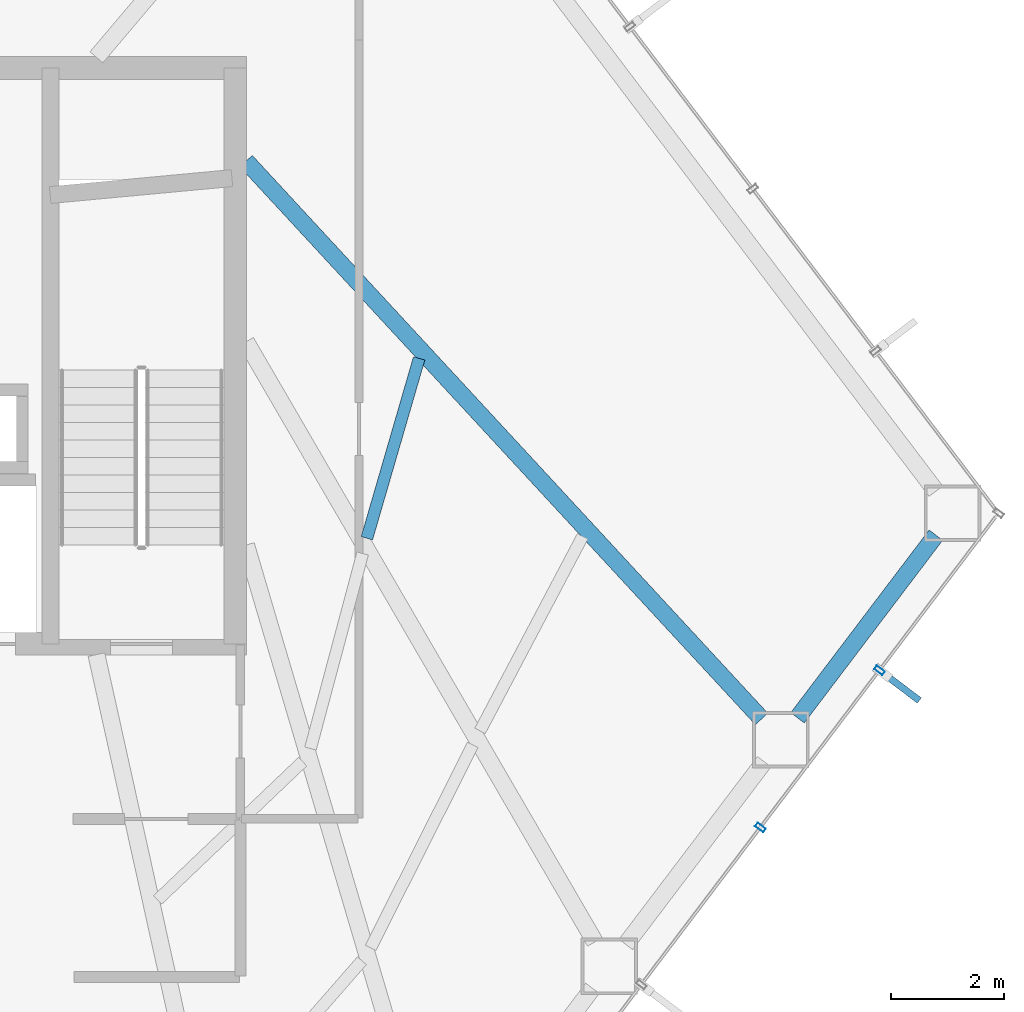
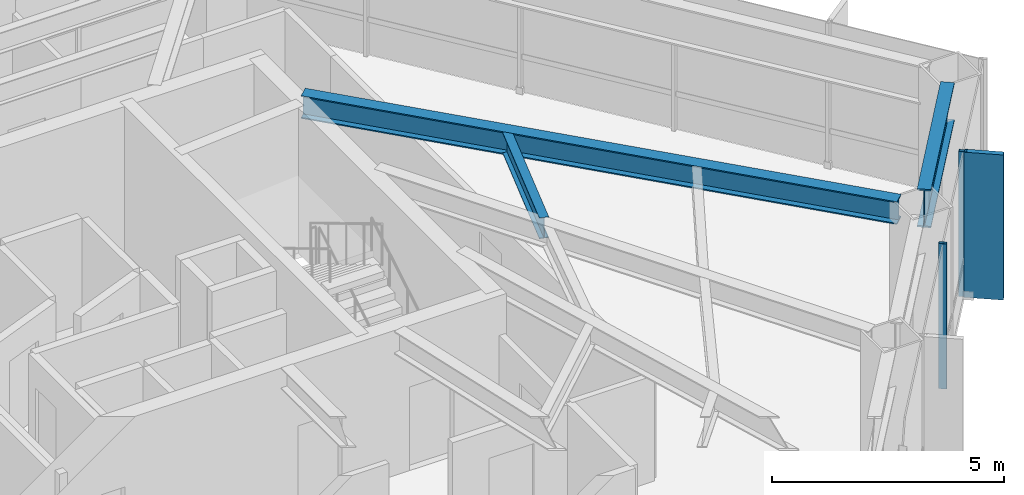
# One storey, part 18 of 25: 3 beams, 3 members, 1 element without a shape of its own.
"""IFC4 building model written with IfcOpenShell, lengths in metres."""

from ifc_helpers import new_model, si_unit, direction, frame, origin, origin_2d, place, context, subcontext, project, spatial, rectangle, hollow_rectangle, i_section, extrude, material, layer, layer_set, material_profile, profile_set, type_object, element, aggregate, save


model = new_model("IFC4")

# Units and contexts
model_context = context("Model", 3, precision=1e-05, world=origin(), true_north=direction((0.0, 1.0)))
body_context = subcontext(model_context, "Body", "Model", "MODEL_VIEW")
ifc_project = project(units=[si_unit("LENGTHUNIT", "METRE"), si_unit("AREAUNIT", "SQUARE_METRE"), si_unit("VOLUMEUNIT", "CUBIC_METRE"), si_unit("PLANEANGLEUNIT", "RADIAN"), si_unit("MASSUNIT", "GRAM", prefix="KILO")], contexts=[model_context])

# Site, building, storey
site_placement = place(None, origin())
site = spatial("IfcSite", under=ifc_project, at=site_placement, CompositionType="ELEMENT")
building_placement = place(site_placement, origin())
building = spatial("IfcBuilding", under=site, at=building_placement, Name="Zarrinselat Tower", CompositionType="ELEMENT")
storey_placement = place(building_placement, frame((0.0, 0.0, 56.10009765625)))
storey = spatial("IfcBuildingStorey", under=building, at=storey_placement, Name="L13", CompositionType="ELEMENT", Elevation=56.10009765625)

# Beams
ifc_material_1 = material(Name="Steel S355J2", Category="steel")
ifc_material_profile_1 = material_profile(ifc_material_1, i_section(OverallWidth=0.300048828125, OverallDepth=0.60009765625, WebThickness=0.015380859375, FlangeThickness=0.030029296875, at=origin_2d()), Name="HEB 600")
ifc_profile_set_1 = profile_set([ifc_material_profile_1], Name="Steel S355J2")
beam_type_1 = type_object("IfcBeamType", Name="BM-HEB600", PredefinedType="BEAM", material=ifc_profile_set_1)
beam_1_placement = place(storey_placement, frame((48.449951171875, 41.800048828125, 3.52001953125), z_axis=(0.678746558016, -0.734372596154, 0.0), x_axis=(0.734372596154, 0.678746558016, 0.0)))
element("IfcBeam", 1, at=beam_1_placement, inside=storey, type_object=beam_type_1, Name="L13 Radial Primary Girder RG14", PredefinedType="BEAM", context=body_context, shape_type="SweptSolid", body=[
    extrude(i_section(OverallWidth=0.300048828125, OverallDepth=0.60009765625, WebThickness=0.015380859375, FlangeThickness=0.030029296875, at=origin_2d()), origin(), (0.0, 0.0, 1.0), 13.4521484375),
])
ifc_material_2 = material(Name="Steel S460M", Category="steel")
ifc_material_profile_2 = material_profile(ifc_material_2, i_section(OverallWidth=0.302001953125, OverallDepth=1.008056640625, WebThickness=0.02099609375, FlangeThickness=0.0400390625, at=origin_2d()), Name="HEM 1000")
ifc_profile_set_2 = profile_set([ifc_material_profile_2], Name="Steel S460M")
beam_type_2 = type_object("IfcBeamType", Name="BM-HEM1000", PredefinedType="BEAM", material=ifc_profile_set_2)
beam_2_placement = place(storey_placement, frame((58.216064453125, 31.94140625, 3.31591796875), z_axis=(0.603851898096, 0.797096534409, 0.0), x_axis=(-0.797096534409, 0.603851898096, 0.0)))
element("IfcBeam", 2, at=beam_2_placement, inside=storey, type_object=beam_type_2, Name="L13 Perimeter Spandrel Girder SP14", PredefinedType="BEAM", context=body_context, shape_type="SweptSolid", body=[
    extrude(i_section(OverallWidth=0.302001953125, OverallDepth=1.008056640625, WebThickness=0.02099609375, FlangeThickness=0.0400390625, at=origin_2d()), origin(), (0.0, 0.0, 1.0), 4.059326171875),
])
ifc_material_3 = material(Name="Steel S355J2", Category="steel")
ifc_material_profile_3 = material_profile(ifc_material_3, i_section(OverallWidth=0.2099609375, OverallDepth=0.550048828125, WebThickness=0.010986328125, FlangeThickness=0.01708984375, at=origin_2d()), Name="IPE 550")
ifc_profile_set_3 = profile_set([ifc_material_profile_3], Name="Steel S355J2")
beam_type_3 = type_object("IfcBeamType", Name="BM-IPE550", PredefinedType="JOIST", material=ifc_profile_set_3)
beam_3_placement = place(storey_placement, frame((50.589599609375, 35.12109375, 3.544921875), z_axis=(0.279072923461, 0.960269911739, 0.0), x_axis=(-0.960269911739, 0.279072923461, 0.0)))
element("IfcBeam", 3, at=beam_3_placement, inside=storey, type_object=beam_type_3, Name="L13 Composite Floor Joist 5-2", PredefinedType="JOIST", context=body_context, shape_type="SweptSolid", body=[
    extrude(i_section(OverallWidth=0.2099609375, OverallDepth=0.550048828125, WebThickness=0.010986328125, FlangeThickness=0.01708984375, at=origin_2d()), origin(), (0.0, 0.0, 1.0), 3.3173828125),
])

# Curtain wall, members
ifc_material_4 = material(Name="Extruded Aluminium Alloy EN AW-6063 T6", Category="aluminium")
ifc_layer = layer(ifc_material_4, 0.18505859375)
ifc_layer_set = layer_set([ifc_layer], Name="Extruded Aluminium Alloy EN AW-6063 T6")
curtain_wall_type = type_object("IfcCurtainWallType", Name="CWS-OFF", PredefinedType="NOTDEFINED", material=ifc_layer_set)
curtain_wall_placement = place(storey_placement, origin())
curtain_wall = element("IfcCurtainWall", 4, at=curtain_wall_placement, inside=storey, type_object=curtain_wall_type, Name="L13 Unitised Curtain Wall CW-L13-E05", PredefinedType="NOTDEFINED")
ifc_material_5 = material(Name="Extruded Aluminium Alloy EN AW-6063 T6", Category="aluminium")
ifc_material_profile_4 = material_profile(ifc_material_5, hollow_rectangle(XDim=0.080078125, YDim=0.179931640625, WallThickness=0.0048828125, at=origin_2d()), Name="RHS 180x80x5")
ifc_profile_set_4 = profile_set([ifc_material_profile_4], Name="Extruded Aluminium Alloy EN AW-6063 T6")
member_type_1 = type_object("IfcMemberType", Name="MEM-CW-MUL", PredefinedType="MULLION", material=ifc_profile_set_4)
member_1_placement = place(storey_placement, frame((57.55908203125, 29.997802734375, 0.0), z_axis=(0.0, 0.0, 1.0), x_axis=(0.603860811653, 0.797089781737, 0.0)))
member_1 = element("IfcMember", 5, at=member_1_placement, type_object=member_type_1, Name="CW-L13-E05 Mullion 4", PredefinedType="MULLION", context=body_context, shape_type="SweptSolid", body=[
    extrude(hollow_rectangle(XDim=0.080078125, YDim=0.179931640625, WallThickness=0.0048828125, at=origin_2d()), origin(), (0.0, 0.0, 1.0), 3.81982421875),
])
member_2_placement = place(storey_placement, frame((59.668212890625, 32.781982421875, 0.0), z_axis=(0.0, 0.0, 1.0), x_axis=(0.603860811653, 0.797089781737, 0.0)))
member_2 = element("IfcMember", 6, at=member_2_placement, type_object=member_type_1, Name="CW-L13-E05 Mullion 5", PredefinedType="MULLION", context=body_context, shape_type="SweptSolid", body=[
    extrude(hollow_rectangle(XDim=0.080078125, YDim=0.179931640625, WallThickness=0.0048828125, at=origin_2d()), origin(), (0.0, 0.0, 1.0), 3.81982421875),
])
ifc_material_6 = material(Name="Honed Cream Travertine Stone", Category="masonry")
ifc_material_profile_5 = material_profile(ifc_material_6, rectangle(XDim=0.1201171875, YDim=0.85009765625, at=origin_2d()), Name="FIN 850x120")
ifc_profile_set_5 = profile_set([ifc_material_profile_5], Name="Honed Cream Travertine Stone")
member_type_2 = type_object("IfcMemberType", Name="MEM-STONE-FIN", PredefinedType="USERDEFINED", material=ifc_profile_set_5)
member_3_placement = place(storey_placement, frame((60.034912109375, 32.504150390625, 0.0), z_axis=(0.0, 0.0, 1.0), x_axis=(-0.603860811653, -0.797089781737, 0.0)))
member_3 = element("IfcMember", 7, at=member_3_placement, type_object=member_type_2, Name="L13 Stone Shading Fin CW-L13-E05-05", ObjectType="FIN", PredefinedType="USERDEFINED", context=body_context, shape_type="SweptSolid", body=[
    extrude(rectangle(XDim=0.1201171875, YDim=0.85009765625, at=origin_2d()), origin(), (0.0, 0.0, 1.0), 3.81982421875),
])
aggregate(curtain_wall, [member_1, member_2, member_3])

save(model, "model.ifc")
